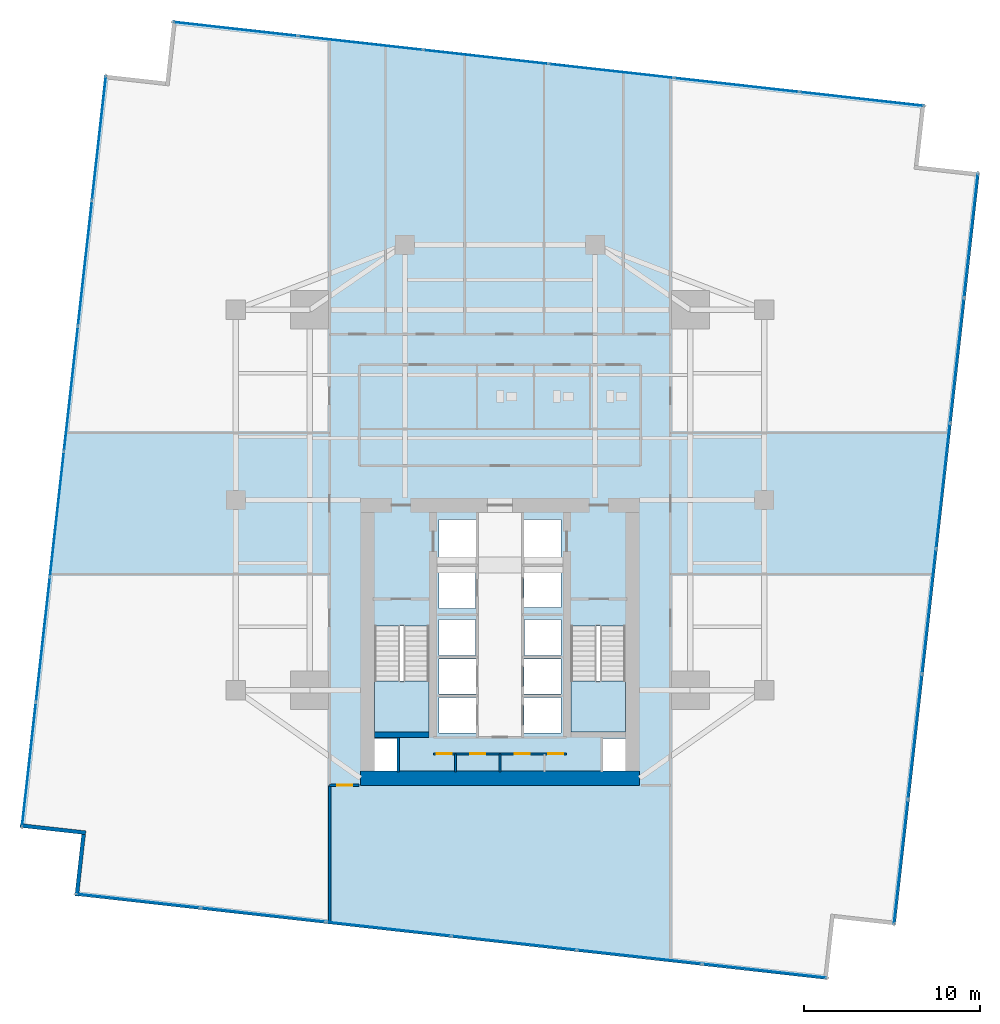
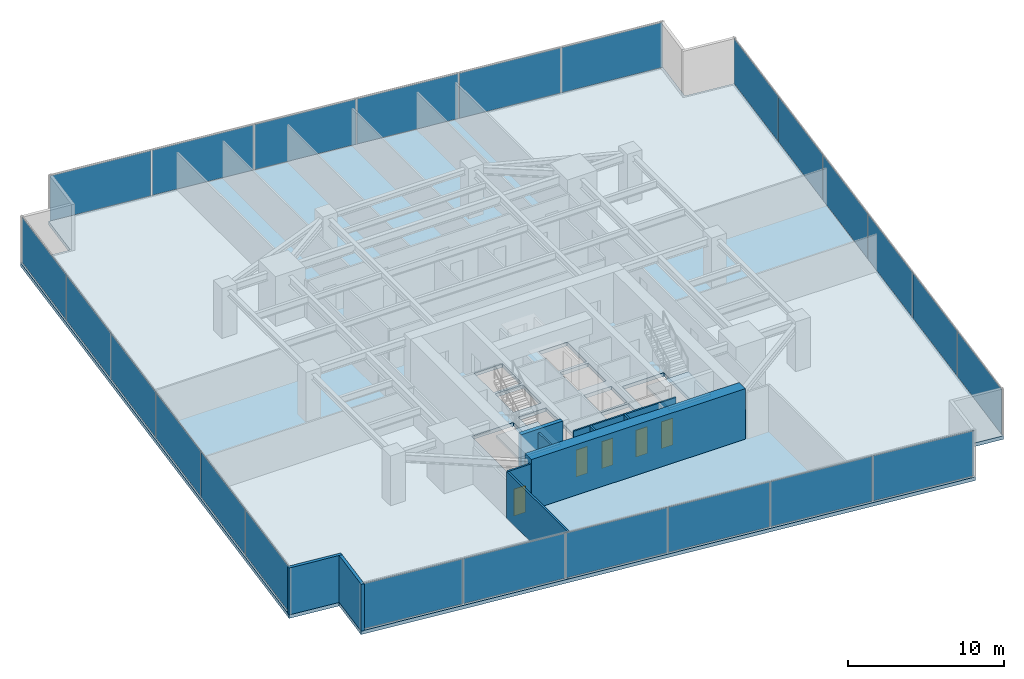
# One storey, part 24 of 31: 24 plates, 10 walls, 5 doors, 3 slabs, 5 openings, 6 elements without a shape of their own.
"""IFC4 building model written with IfcOpenShell, lengths in metres."""

from ifc_helpers import new_model, si_unit, direction, frame, frame_2d, origin, origin_2d, place, context, subcontext, project, spatial, polyline, rectangle, outline, extrude, source, transform, mapped, material, layer, layer_set, type_object, type_shapes, element, fill, aggregate, save


model = new_model("IFC4")

# Units and contexts
model_context = context("Model", 3, precision=1e-05, world=origin(), true_north=direction((0.0, 1.0)))
body_context = subcontext(model_context, "Body", "Model", "MODEL_VIEW")
ifc_project = project(units=[si_unit("LENGTHUNIT", "METRE"), si_unit("AREAUNIT", "SQUARE_METRE"), si_unit("VOLUMEUNIT", "CUBIC_METRE"), si_unit("PLANEANGLEUNIT", "RADIAN"), si_unit("MASSUNIT", "GRAM", prefix="KILO")], contexts=[model_context])

# Site, building, storey
site_placement = place(None, origin())
site = spatial("IfcSite", under=ifc_project, at=site_placement, CompositionType="ELEMENT")
building_placement = place(site_placement, origin())
building = spatial("IfcBuilding", under=site, at=building_placement, Name="Krantzveldt Concourse Tower", CompositionType="ELEMENT")
storey_placement = place(building_placement, frame((0.0, 0.0, 56.60009765625)))
storey = spatial("IfcBuildingStorey", under=building, at=storey_placement, Name="L13", CompositionType="ELEMENT", Elevation=56.60009765625)

# Stair, slab
ifc_material_1 = material(Name="Precast concrete C40/50", Category="concrete")
stair_type = type_object("IfcStairType", Name="STR-CORE-DOGLEG", PredefinedType="HALF_TURN_STAIR", material=ifc_material_1)
stair_1_placement = place(storey_placement, origin())
stair_1 = element("IfcStair", 1, at=stair_1_placement, inside=storey, type_object=stair_type, Name="L13 Protected Escape Stair ST-1", PredefinedType="HALF_TURN_STAIR")
ifc_layer_1 = layer(ifc_material_1, 0.199951171875, Name="Precast concrete C40/50", Category="concrete")
ifc_layer_set_1 = layer_set([ifc_layer_1], Name="Precast concrete C40/50 (SL-LANDING-200)")
slab_type_1 = type_object("IfcSlabType", Name="SL-LANDING-200", PredefinedType="LANDING", material=ifc_layer_set_1)
slab_1_placement = place(storey_placement, frame((0.0, 0.0, 1.77490234375)))
slab_1 = element("IfcSlab", 2, at=slab_1_placement, type_object=slab_type_1, Name="ST-1 landing 1", PredefinedType="LANDING", context=body_context, shape_type="SweptSolid", body=[
    extrude(outline(polyline([(28.8798828125, 16.4150390625), (28.8798828125, 13.52001953125), (31.97998046875, 13.52001953125), (31.97998046875, 16.4150390625), (28.8798828125, 16.4150390625)])), origin(), (0.0, 0.0, 1.0), 0.199951171875),
])
aggregate(stair_1, [slab_1])

stair_2_placement = place(storey_placement, origin())
stair_2 = element("IfcStair", 3, at=stair_2_placement, inside=storey, type_object=stair_type, Name="L13 Protected Escape Stair ST-2", PredefinedType="HALF_TURN_STAIR")
slab_2_placement = place(storey_placement, frame((0.0, 0.0, 1.77490234375)))
slab_2 = element("IfcSlab", 4, at=slab_2_placement, type_object=slab_type_1, Name="ST-2 landing 1", PredefinedType="LANDING", context=body_context, shape_type="SweptSolid", body=[
    extrude(outline(polyline([(40.02001953125, 16.4150390625), (40.02001953125, 13.52001953125), (43.1201171875, 13.52001953125), (43.1201171875, 16.4150390625), (40.02001953125, 16.4150390625)])), origin(), (0.0, 0.0, 1.0), 0.199951171875),
])
aggregate(stair_2, [slab_2])

# Slab
ifc_material_2 = material(Name="Concrete C40/50", Category="concrete")
ifc_layer_2 = layer(ifc_material_2, 0.280029296875, Name="Concrete C40/50", Category="concrete")
ifc_layer_set_2 = layer_set([ifc_layer_2], Name="Concrete C40/50 (SL-SL-TWR280)")
slab_type_2 = type_object("IfcSlabType", Name="SL-SL-TWR280", PredefinedType="FLOOR", material=ifc_layer_set_2)
slab_3_placement = place(storey_placement, frame((0.0, 0.0, -0.280029296875)))
element("IfcSlab", 5, at=slab_3_placement, inside=storey, type_object=slab_type_2, Name="SL-L13-MAIN", PredefinedType="FLOOR", context=body_context, shape_type="SweptSolid", body=[
    extrude(outline(polyline([(17.020263671875, 50.454345703125), (13.541748046875, 50.843017578125), (8.767333984375, 8.10888671875), (12.24560546875, 7.72021484375), (11.857177734375, 4.241943359375), (54.591064453125, -0.53271484375), (54.979736328125, 2.94580078125), (58.458251953125, 2.55712890625), (63.232666015625, 45.291259765625), (59.75439453125, 45.6796875), (60.142822265625, 49.158203125), (17.408935546875, 53.9326171875), (17.020263671875, 50.454345703125)]), holes=[polyline([(28.8798828125, 19.547607421875), (28.8798828125, 13.52001953125), (31.97998046875, 13.52001953125), (31.97998046875, 19.547607421875), (28.8798828125, 19.547607421875)]), polyline([(40.02001953125, 19.547607421875), (40.02001953125, 13.52001953125), (43.1201171875, 13.52001953125), (43.1201171875, 19.547607421875), (40.02001953125, 19.547607421875)]), polyline([(32.550048828125, 23.10009765625), (34.64990234375, 23.10009765625), (34.64990234375, 25.60009765625), (32.550048828125, 25.60009765625), (32.550048828125, 23.10009765625)]), polyline([(37.35009765625, 23.10009765625), (39.449951171875, 23.10009765625), (39.449951171875, 25.60009765625), (37.35009765625, 25.60009765625), (37.35009765625, 23.10009765625)]), polyline([(37.35009765625, 20.60009765625), (39.449951171875, 20.60009765625), (39.449951171875, 22.89990234375), (37.35009765625, 22.89990234375), (37.35009765625, 20.60009765625)]), polyline([(32.550048828125, 13.47998046875), (34.64990234375, 13.47998046875), (34.64990234375, 15.47998046875), (32.550048828125, 15.47998046875), (32.550048828125, 13.47998046875)]), polyline([(32.550048828125, 15.679931640625), (34.64990234375, 15.679931640625), (34.64990234375, 17.679931640625), (32.550048828125, 17.679931640625), (32.550048828125, 15.679931640625)]), polyline([(37.35009765625, 13.47998046875), (39.449951171875, 13.47998046875), (39.449951171875, 15.47998046875), (37.35009765625, 15.47998046875), (37.35009765625, 13.47998046875)]), polyline([(37.35009765625, 15.679931640625), (39.449951171875, 15.679931640625), (39.449951171875, 17.679931640625), (37.35009765625, 17.679931640625), (37.35009765625, 15.679931640625)]), polyline([(32.550048828125, 20.550048828125), (34.6201171875, 20.550048828125), (34.6201171875, 22.89990234375), (32.550048828125, 22.89990234375), (32.550048828125, 20.550048828125)]), polyline([(32.550048828125, 17.8798828125), (34.6201171875, 17.8798828125), (34.6201171875, 19.919921875), (32.550048828125, 19.919921875), (32.550048828125, 17.8798828125)]), polyline([(37.3798828125, 17.8798828125), (39.449951171875, 17.8798828125), (39.449951171875, 19.919921875), (37.3798828125, 19.919921875), (37.3798828125, 17.8798828125)]), polyline([(28.8798828125, 11.320068359375), (30.139892578125, 11.320068359375), (30.139892578125, 13.159912109375), (28.8798828125, 13.159912109375), (28.8798828125, 11.320068359375)]), polyline([(41.860107421875, 11.320068359375), (43.1201171875, 11.320068359375), (43.1201171875, 13.159912109375), (41.860107421875, 13.159912109375), (41.860107421875, 11.320068359375)])]), origin(), (0.0, 0.0, 1.0), 0.280029296875),
])

# Curtain wall, plates
ifc_material_3 = material(Name="Anodised aluminium 6063-T6", Category="aluminium")
curtain_wall_type = type_object("IfcCurtainWallType", Name="CW2", PredefinedType="USERDEFINED", material=ifc_material_3)
curtain_wall_1_placement = place(storey_placement, origin())
curtain_wall_1 = element("IfcCurtainWall", 6, at=curtain_wall_1_placement, inside=storey, type_object=curtain_wall_type, Name="CW-L13-F01", ObjectType="UNITISED CURTAIN WALL", PredefinedType="USERDEFINED")
ifc_material_4 = material(Name="Bronze-tinted laminated low-E IGU glass", Category="glass")
ifc_layer_3 = layer(ifc_material_4, 0.031982421875, Name="Bronze-tinted laminated low-E IGU glass", Category="glass")
ifc_layer_set_3 = layer_set([ifc_layer_3], Name="Bronze-tinted laminated low-E IGU glass (CW-GLZ-32)")
plate_type = type_object("IfcPlateType", Name="CW-GLZ-32", PredefinedType="CURTAIN_PANEL", material=ifc_layer_set_3)
shared_shape_1 = source(origin(), body_context, "Body", "SweptSolid", [
    extrude(rectangle(XDim=7.061767578125, YDim=0.031982421875, at=origin_2d()), origin(), (0.0, 0.0, 1.0), 3.530029296875),
])
plate_1_placement = place(storey_placement, frame((13.2314453125, 47.25439453125, 0.06982421875), z_axis=(0.0, 0.0, 1.0), x_axis=(-0.111035342863, -0.993816458223, 0.0)))
plate_1 = element("IfcPlate", 7, at=plate_1_placement, type_object=plate_type, Name="CW-Z12 panel 1.1", PredefinedType="CURTAIN_PANEL", context=body_context, shape_type="MappedRepresentation", body=[
    mapped(shared_shape_1, transform((0.0, 0.0, 0.0), x_axis=(1.0, 0.0, 0.0), y_axis=(0.0, 1.0, 0.0), z_axis=(0.0, 0.0, 1.0), scale=1.0)),
])
plate_2_placement = place(storey_placement, frame((9.256591796875, 11.677490234375, 0.06982421875), z_axis=(0.0, 0.0, 1.0), x_axis=(-0.111035342863, -0.993816458223, 0.0)))
plate_2 = element("IfcPlate", 8, at=plate_2_placement, type_object=plate_type, Name="CW-Z12 panel 6.1", PredefinedType="CURTAIN_PANEL", context=body_context, shape_type="MappedRepresentation", body=[
    mapped(shared_shape_1, transform((0.0, 0.0, 0.0), x_axis=(1.0, 0.0, 0.0), y_axis=(0.0, 1.0, 0.0), z_axis=(0.0, 0.0, 1.0), scale=1.0)),
])

curtain_wall_2_placement = place(storey_placement, origin())
curtain_wall_2 = element("IfcCurtainWall", 9, at=curtain_wall_2_placement, inside=storey, type_object=curtain_wall_type, Name="CW-L13-F04", ObjectType="UNITISED CURTAIN WALL", PredefinedType="USERDEFINED")
plate_3_placement = place(storey_placement, frame((15.445556640625, 3.931396484375, 0.06982421875), z_axis=(0.0, 0.0, 1.0), x_axis=(0.993816458223, -0.111035342863, 0.0)))
plate_3 = element("IfcPlate", 10, at=plate_3_placement, type_object=plate_type, Name="CW-Z12 panel 1.1", PredefinedType="CURTAIN_PANEL", context=body_context, shape_type="MappedRepresentation", body=[
    mapped(shared_shape_1, transform((0.0, 0.0, 0.0), x_axis=(1.0, 0.0, 0.0), y_axis=(0.0, 1.0, 0.0), z_axis=(0.0, 0.0, 1.0), scale=1.0)),
])
plate_4_placement = place(storey_placement, frame((51.022705078125, -0.04345703125, 0.06982421875), z_axis=(0.0, 0.0, 1.0), x_axis=(0.993816458223, -0.111035342863, 0.0)))
plate_4 = element("IfcPlate", 11, at=plate_4_placement, type_object=plate_type, Name="CW-Z12 panel 6.1", PredefinedType="CURTAIN_PANEL", context=body_context, shape_type="MappedRepresentation", body=[
    mapped(shared_shape_1, transform((0.0, 0.0, 0.0), x_axis=(1.0, 0.0, 0.0), y_axis=(0.0, 1.0, 0.0), z_axis=(0.0, 0.0, 1.0), scale=1.0)),
])

curtain_wall_3_placement = place(storey_placement, origin())
curtain_wall_3 = element("IfcCurtainWall", 12, at=curtain_wall_3_placement, inside=storey, type_object=curtain_wall_type, Name="CW-L13-F07", ObjectType="UNITISED CURTAIN WALL", PredefinedType="USERDEFINED")
plate_5_placement = place(storey_placement, frame((58.7685546875, 6.1455078125, 0.06982421875), z_axis=(0.0, 0.0, 1.0), x_axis=(0.111035342863, 0.993816458223, 0.0)))
plate_5 = element("IfcPlate", 13, at=plate_5_placement, type_object=plate_type, Name="CW-Z12 panel 1.1", PredefinedType="CURTAIN_PANEL", context=body_context, shape_type="MappedRepresentation", body=[
    mapped(shared_shape_1, transform((0.0, 0.0, 0.0), x_axis=(1.0, 0.0, 0.0), y_axis=(0.0, 1.0, 0.0), z_axis=(0.0, 0.0, 1.0), scale=1.0)),
])
plate_6_placement = place(storey_placement, frame((62.743408203125, 41.72265625, 0.06982421875), z_axis=(0.0, 0.0, 1.0), x_axis=(0.111035342863, 0.993816458223, 0.0)))
plate_6 = element("IfcPlate", 14, at=plate_6_placement, type_object=plate_type, Name="CW-Z12 panel 6.1", PredefinedType="CURTAIN_PANEL", context=body_context, shape_type="MappedRepresentation", body=[
    mapped(shared_shape_1, transform((0.0, 0.0, 0.0), x_axis=(1.0, 0.0, 0.0), y_axis=(0.0, 1.0, 0.0), z_axis=(0.0, 0.0, 1.0), scale=1.0)),
])

curtain_wall_4_placement = place(storey_placement, origin())
curtain_wall_4 = element("IfcCurtainWall", 15, at=curtain_wall_4_placement, inside=storey, type_object=curtain_wall_type, Name="CW-L13-F10", ObjectType="UNITISED CURTAIN WALL", PredefinedType="USERDEFINED")
plate_7_placement = place(storey_placement, frame((56.554443359375, 49.468505859375, 0.06982421875), z_axis=(0.0, 0.0, 1.0), x_axis=(-0.993816458223, 0.111035342863, 0.0)))
plate_7 = element("IfcPlate", 16, at=plate_7_placement, type_object=plate_type, Name="CW-Z12 panel 1.1", PredefinedType="CURTAIN_PANEL", context=body_context, shape_type="MappedRepresentation", body=[
    mapped(shared_shape_1, transform((0.0, 0.0, 0.0), x_axis=(1.0, 0.0, 0.0), y_axis=(0.0, 1.0, 0.0), z_axis=(0.0, 0.0, 1.0), scale=1.0)),
])
plate_8_placement = place(storey_placement, frame((20.977294921875, 53.443359375, 0.06982421875), z_axis=(0.0, 0.0, 1.0), x_axis=(-0.993816458223, 0.111035342863, 0.0)))
plate_8 = element("IfcPlate", 17, at=plate_8_placement, type_object=plate_type, Name="CW-Z12 panel 6.1", PredefinedType="CURTAIN_PANEL", context=body_context, shape_type="MappedRepresentation", body=[
    mapped(shared_shape_1, transform((0.0, 0.0, 0.0), x_axis=(1.0, 0.0, 0.0), y_axis=(0.0, 1.0, 0.0), z_axis=(0.0, 0.0, 1.0), scale=1.0)),
])

# Plate
shared_shape_2 = source(origin(), body_context, "Body", "SweptSolid", [
    extrude(rectangle(XDim=7.0966796875, YDim=0.031982421875, at=origin_2d()), origin(), (0.0, 0.0, 1.0), 3.530029296875),
])
type_shapes(plate_type, [shared_shape_1, shared_shape_2])
plate_9_placement = place(storey_placement, frame((12.437744140625, 40.1494140625, 0.06982421875), z_axis=(0.0, 0.0, 1.0), x_axis=(-0.111035342863, -0.993816458223, 0.0)))
plate_9 = element("IfcPlate", 18, at=plate_9_placement, type_object=plate_type, Name="CW-Z12 panel 2.1", PredefinedType="CURTAIN_PANEL", context=body_context, shape_type="MappedRepresentation", body=[
    mapped(shared_shape_2, transform((0.0, 0.0, 0.0), x_axis=(1.0, 0.0, 0.0), y_axis=(0.0, 1.0, 0.0), z_axis=(0.0, 0.0, 1.0), scale=1.0)),
])

plate_10_placement = place(storey_placement, frame((11.641845703125, 33.027099609375, 0.06982421875), z_axis=(0.0, 0.0, 1.0), x_axis=(-0.111035342863, -0.993816458223, 0.0)))
plate_10 = element("IfcPlate", 19, at=plate_10_placement, type_object=plate_type, Name="CW-Z12 panel 3.1", PredefinedType="CURTAIN_PANEL", context=body_context, shape_type="MappedRepresentation", body=[
    mapped(shared_shape_2, transform((0.0, 0.0, 0.0), x_axis=(1.0, 0.0, 0.0), y_axis=(0.0, 1.0, 0.0), z_axis=(0.0, 0.0, 1.0), scale=1.0)),
])

plate_11_placement = place(storey_placement, frame((10.84619140625, 25.90478515625, 0.06982421875), z_axis=(0.0, 0.0, 1.0), x_axis=(-0.111035342863, -0.993816458223, 0.0)))
plate_11 = element("IfcPlate", 20, at=plate_11_placement, type_object=plate_type, Name="CW-Z12 panel 4.1", PredefinedType="CURTAIN_PANEL", context=body_context, shape_type="MappedRepresentation", body=[
    mapped(shared_shape_2, transform((0.0, 0.0, 0.0), x_axis=(1.0, 0.0, 0.0), y_axis=(0.0, 1.0, 0.0), z_axis=(0.0, 0.0, 1.0), scale=1.0)),
])

plate_12_placement = place(storey_placement, frame((10.05029296875, 18.782470703125, 0.06982421875), z_axis=(0.0, 0.0, 1.0), x_axis=(-0.111035342863, -0.993816458223, 0.0)))
plate_12 = element("IfcPlate", 21, at=plate_12_placement, type_object=plate_type, Name="CW-Z12 panel 5.1", PredefinedType="CURTAIN_PANEL", context=body_context, shape_type="MappedRepresentation", body=[
    mapped(shared_shape_2, transform((0.0, 0.0, 0.0), x_axis=(1.0, 0.0, 0.0), y_axis=(0.0, 1.0, 0.0), z_axis=(0.0, 0.0, 1.0), scale=1.0)),
])

aggregate(curtain_wall_1, [plate_1, plate_9, plate_10, plate_11, plate_12, plate_2])

plate_13_placement = place(storey_placement, frame((22.550537109375, 3.1376953125, 0.06982421875), z_axis=(0.0, 0.0, 1.0), x_axis=(0.993816458223, -0.111035342863, 0.0)))
plate_13 = element("IfcPlate", 22, at=plate_13_placement, type_object=plate_type, Name="CW-Z12 panel 2.1", PredefinedType="CURTAIN_PANEL", context=body_context, shape_type="MappedRepresentation", body=[
    mapped(shared_shape_2, transform((0.0, 0.0, 0.0), x_axis=(1.0, 0.0, 0.0), y_axis=(0.0, 1.0, 0.0), z_axis=(0.0, 0.0, 1.0), scale=1.0)),
])

plate_14_placement = place(storey_placement, frame((29.6728515625, 2.341796875, 0.06982421875), z_axis=(0.0, 0.0, 1.0), x_axis=(0.993816458223, -0.111035342863, 0.0)))
plate_14 = element("IfcPlate", 23, at=plate_14_placement, type_object=plate_type, Name="CW-Z12 panel 3.1", PredefinedType="CURTAIN_PANEL", context=body_context, shape_type="MappedRepresentation", body=[
    mapped(shared_shape_2, transform((0.0, 0.0, 0.0), x_axis=(1.0, 0.0, 0.0), y_axis=(0.0, 1.0, 0.0), z_axis=(0.0, 0.0, 1.0), scale=1.0)),
])

plate_15_placement = place(storey_placement, frame((36.795166015625, 1.546142578125, 0.06982421875), z_axis=(0.0, 0.0, 1.0), x_axis=(0.993816458223, -0.111035342863, 0.0)))
plate_15 = element("IfcPlate", 24, at=plate_15_placement, type_object=plate_type, Name="CW-Z12 panel 4.1", PredefinedType="CURTAIN_PANEL", context=body_context, shape_type="MappedRepresentation", body=[
    mapped(shared_shape_2, transform((0.0, 0.0, 0.0), x_axis=(1.0, 0.0, 0.0), y_axis=(0.0, 1.0, 0.0), z_axis=(0.0, 0.0, 1.0), scale=1.0)),
])

plate_16_placement = place(storey_placement, frame((43.917724609375, 0.75048828125, 0.06982421875), z_axis=(0.0, 0.0, 1.0), x_axis=(0.993816458223, -0.111035342863, 0.0)))
plate_16 = element("IfcPlate", 25, at=plate_16_placement, type_object=plate_type, Name="CW-Z12 panel 5.1", PredefinedType="CURTAIN_PANEL", context=body_context, shape_type="MappedRepresentation", body=[
    mapped(shared_shape_2, transform((0.0, 0.0, 0.0), x_axis=(1.0, 0.0, 0.0), y_axis=(0.0, 1.0, 0.0), z_axis=(0.0, 0.0, 1.0), scale=1.0)),
])

aggregate(curtain_wall_2, [plate_3, plate_13, plate_14, plate_15, plate_16, plate_4])

plate_17_placement = place(storey_placement, frame((59.562255859375, 13.25048828125, 0.06982421875), z_axis=(0.0, 0.0, 1.0), x_axis=(0.111035342863, 0.993816458223, 0.0)))
plate_17 = element("IfcPlate", 26, at=plate_17_placement, type_object=plate_type, Name="CW-Z12 panel 2.1", PredefinedType="CURTAIN_PANEL", context=body_context, shape_type="MappedRepresentation", body=[
    mapped(shared_shape_2, transform((0.0, 0.0, 0.0), x_axis=(1.0, 0.0, 0.0), y_axis=(0.0, 1.0, 0.0), z_axis=(0.0, 0.0, 1.0), scale=1.0)),
])

plate_18_placement = place(storey_placement, frame((60.358154296875, 20.373046875, 0.06982421875), z_axis=(0.0, 0.0, 1.0), x_axis=(0.111035342863, 0.993816458223, 0.0)))
plate_18 = element("IfcPlate", 27, at=plate_18_placement, type_object=plate_type, Name="CW-Z12 panel 3.1", PredefinedType="CURTAIN_PANEL", context=body_context, shape_type="MappedRepresentation", body=[
    mapped(shared_shape_2, transform((0.0, 0.0, 0.0), x_axis=(1.0, 0.0, 0.0), y_axis=(0.0, 1.0, 0.0), z_axis=(0.0, 0.0, 1.0), scale=1.0)),
])

plate_19_placement = place(storey_placement, frame((61.15380859375, 27.495361328125, 0.06982421875), z_axis=(0.0, 0.0, 1.0), x_axis=(0.111035342863, 0.993816458223, 0.0)))
plate_19 = element("IfcPlate", 28, at=plate_19_placement, type_object=plate_type, Name="CW-Z12 panel 4.1", PredefinedType="CURTAIN_PANEL", context=body_context, shape_type="MappedRepresentation", body=[
    mapped(shared_shape_2, transform((0.0, 0.0, 0.0), x_axis=(1.0, 0.0, 0.0), y_axis=(0.0, 1.0, 0.0), z_axis=(0.0, 0.0, 1.0), scale=1.0)),
])

plate_20_placement = place(storey_placement, frame((61.94970703125, 34.61767578125, 0.06982421875), z_axis=(0.0, 0.0, 1.0), x_axis=(0.111035342863, 0.993816458223, 0.0)))
plate_20 = element("IfcPlate", 29, at=plate_20_placement, type_object=plate_type, Name="CW-Z12 panel 5.1", PredefinedType="CURTAIN_PANEL", context=body_context, shape_type="MappedRepresentation", body=[
    mapped(shared_shape_2, transform((0.0, 0.0, 0.0), x_axis=(1.0, 0.0, 0.0), y_axis=(0.0, 1.0, 0.0), z_axis=(0.0, 0.0, 1.0), scale=1.0)),
])

aggregate(curtain_wall_3, [plate_5, plate_17, plate_18, plate_19, plate_20, plate_6])

plate_21_placement = place(storey_placement, frame((49.449462890625, 50.262451171875, 0.06982421875), z_axis=(0.0, 0.0, 1.0), x_axis=(-0.993816458223, 0.111035342863, 0.0)))
plate_21 = element("IfcPlate", 30, at=plate_21_placement, type_object=plate_type, Name="CW-Z12 panel 2.1", PredefinedType="CURTAIN_PANEL", context=body_context, shape_type="MappedRepresentation", body=[
    mapped(shared_shape_2, transform((0.0, 0.0, 0.0), x_axis=(1.0, 0.0, 0.0), y_axis=(0.0, 1.0, 0.0), z_axis=(0.0, 0.0, 1.0), scale=1.0)),
])

plate_22_placement = place(storey_placement, frame((42.3271484375, 51.05810546875, 0.06982421875), z_axis=(0.0, 0.0, 1.0), x_axis=(-0.993816458223, 0.111035342863, 0.0)))
plate_22 = element("IfcPlate", 31, at=plate_22_placement, type_object=plate_type, Name="CW-Z12 panel 3.1", PredefinedType="CURTAIN_PANEL", context=body_context, shape_type="MappedRepresentation", body=[
    mapped(shared_shape_2, transform((0.0, 0.0, 0.0), x_axis=(1.0, 0.0, 0.0), y_axis=(0.0, 1.0, 0.0), z_axis=(0.0, 0.0, 1.0), scale=1.0)),
])

plate_23_placement = place(storey_placement, frame((35.204833984375, 51.853759765625, 0.06982421875), z_axis=(0.0, 0.0, 1.0), x_axis=(-0.993816458223, 0.111035342863, 0.0)))
plate_23 = element("IfcPlate", 32, at=plate_23_placement, type_object=plate_type, Name="CW-Z12 panel 4.1", PredefinedType="CURTAIN_PANEL", context=body_context, shape_type="MappedRepresentation", body=[
    mapped(shared_shape_2, transform((0.0, 0.0, 0.0), x_axis=(1.0, 0.0, 0.0), y_axis=(0.0, 1.0, 0.0), z_axis=(0.0, 0.0, 1.0), scale=1.0)),
])

plate_24_placement = place(storey_placement, frame((28.082275390625, 52.649658203125, 0.06982421875), z_axis=(0.0, 0.0, 1.0), x_axis=(-0.993816458223, 0.111035342863, 0.0)))
plate_24 = element("IfcPlate", 33, at=plate_24_placement, type_object=plate_type, Name="CW-Z12 panel 5.1", PredefinedType="CURTAIN_PANEL", context=body_context, shape_type="MappedRepresentation", body=[
    mapped(shared_shape_2, transform((0.0, 0.0, 0.0), x_axis=(1.0, 0.0, 0.0), y_axis=(0.0, 1.0, 0.0), z_axis=(0.0, 0.0, 1.0), scale=1.0)),
])

aggregate(curtain_wall_4, [plate_7, plate_21, plate_22, plate_23, plate_24, plate_8])

# Walls
ifc_layer_4 = layer(ifc_material_3, 0.219970703125, Name="Anodised aluminium 6063-T6", Category="aluminium")
ifc_layer_set_4 = layer_set([ifc_layer_4], Name="Anodised aluminium 6063-T6 (WL-EXT-NOTCH220)")
wall_type_1 = type_object("IfcWallType", Name="WL-EXT-NOTCH220", PredefinedType="ELEMENTEDWALL", material=ifc_layer_set_4)
wall_1_placement = place(storey_placement, frame((8.754638671875, 8.220947265625, 0.0), z_axis=(0.0, 0.0, 1.0), x_axis=(0.99381837171, -0.111018214957, 0.0)))
element("IfcWall", 34, at=wall_1_placement, inside=storey, type_object=wall_type_1, Name="EW-L13-NCH02", PredefinedType="ELEMENTEDWALL", context=body_context, shape_type="SweptSolid", body=[
    extrude(rectangle(XDim=3.7451171875, YDim=0.219970703125, at=frame_2d((1.87255859375, 0.0))), origin(), (0.0, 0.0, 1.0), 3.669921875),
])
wall_2_placement = place(storey_placement, frame((12.35498046875, 7.7080078125, 0.0), z_axis=(0.0, 0.0, 1.0), x_axis=(-0.111024443135, -0.993817675948, 0.0)))
element("IfcWall", 35, at=wall_2_placement, inside=storey, type_object=wall_type_1, Name="EW-L13-NCH03", PredefinedType="ELEMENTEDWALL", context=body_context, shape_type="SweptSolid", body=[
    extrude(rectangle(XDim=3.52490234375, YDim=0.219970703125, at=frame_2d((1.762451171875, 0.0))), origin(), (0.0, 0.0, 1.0), 3.669921875),
])

# Wall, openings, doors
ifc_material_5 = material(Name="Fire-rated gypsum plasterboard on steel stud", Category="steel")
ifc_layer_5 = layer(ifc_material_5, 0.1201171875, Name="Fire-rated gypsum plasterboard on steel stud", Category="steel")
ifc_layer_set_5 = layer_set([ifc_layer_5], Name="Fire-rated gypsum plasterboard on steel stud (WL-PART-120)")
wall_type_2 = type_object("IfcWallType", Name="WL-PART-120", PredefinedType="PARTITIONING", material=ifc_layer_set_5)
wall_3_placement = place(storey_placement, frame((32.2099609375, 12.280029296875, 0.0), z_axis=(0.0, 0.0, 1.0), x_axis=(1.0, 0.0, 0.0)))
wall_3 = element("IfcWall", 36, at=wall_3_placement, inside=storey, type_object=wall_type_2, Name="WP-L13-CSD-HM", PredefinedType="PARTITIONING", context=body_context, shape_type="SweptSolid", body=[
    extrude(rectangle(XDim=7.580078125, YDim=0.1201171875, at=frame_2d((3.7900390625, 0.0))), origin(), (0.0, 0.0, 1.0), 3.669921875),
])
opening_1_placement = place(wall_3_placement, frame((0.205078125, 0.0, 0.0)))
opening_1 = element("IfcOpeningElement", 37, at=opening_1_placement, cuts=wall_3, Name="Opening D-IN085", PredefinedType="OPENING", context=body_context, shape_type="SweptSolid", body=[
    extrude(rectangle(XDim=0.85009765625, YDim=2.10009765625, at=frame_2d((0.425048828125, 1.050048828125))), frame((0.0, 0.070068359375, 0.0), z_axis=(0.0, -1.0, 0.0), x_axis=(1.0, 0.0, 0.0)), (0.0, 0.0, 1.0), 0.14013671875),
])
opening_2_placement = place(wall_3_placement, frame((2.094970703125, 0.0, 0.0)))
opening_2 = element("IfcOpeningElement", 38, at=opening_2_placement, cuts=wall_3, Name="Opening D-IN085", PredefinedType="OPENING", context=body_context, shape_type="SweptSolid", body=[
    extrude(rectangle(XDim=0.85009765625, YDim=2.10009765625, at=frame_2d((0.425048828125, 1.050048828125))), frame((0.0, 0.070068359375, 0.0), z_axis=(0.0, -1.0, 0.0), x_axis=(1.0, 0.0, 0.0)), (0.0, 0.0, 1.0), 0.14013671875),
])
opening_3_placement = place(wall_3_placement, frame((4.635009765625, 0.0, 0.0)))
opening_3 = element("IfcOpeningElement", 39, at=opening_3_placement, cuts=wall_3, Name="Opening D-IN085", PredefinedType="OPENING", context=body_context, shape_type="SweptSolid", body=[
    extrude(rectangle(XDim=0.85009765625, YDim=2.10009765625, at=frame_2d((0.425048828125, 1.050048828125))), frame((0.0, 0.070068359375, 0.0), z_axis=(0.0, -1.0, 0.0), x_axis=(1.0, 0.0, 0.0)), (0.0, 0.0, 1.0), 0.14013671875),
])
opening_4_placement = place(wall_3_placement, frame((6.52490234375, 0.0, 0.0)))
opening_4 = element("IfcOpeningElement", 40, at=opening_4_placement, cuts=wall_3, Name="Opening D-IN085", PredefinedType="OPENING", context=body_context, shape_type="SweptSolid", body=[
    extrude(rectangle(XDim=0.85009765625, YDim=2.10009765625, at=frame_2d((0.425048828125, 1.050048828125))), frame((0.0, 0.070068359375, 0.0), z_axis=(0.0, -1.0, 0.0), x_axis=(1.0, 0.0, 0.0)), (0.0, 0.0, 1.0), 0.14013671875),
])
ifc_material_6 = material(Name="Hardwood timber", Category="wood")
door_type = type_object("IfcDoorType", Name="DR-INT-850", OperationType="SINGLE_SWING_LEFT", PredefinedType="DOOR", material=ifc_material_6)
door_1_placement = place(opening_1_placement, origin())
door_1 = element("IfcDoor", 41, at=door_1_placement, inside=storey, type_object=door_type, Name="DR-L13-CSD1", OperationType="SINGLE_SWING_RIGHT", OverallHeight=2.10009765625, OverallWidth=0.85009765625, PredefinedType="DOOR", context=body_context, shape_type="SweptSolid", body=[
    extrude(rectangle(XDim=0.85009765625, YDim=2.10009765625, at=frame_2d((0.425048828125, 1.050048828125))), frame((0.0, 0.02490234375, 0.0), z_axis=(0.0, -1.0, 0.0), x_axis=(1.0, 0.0, 0.0)), (0.0, 0.0, 1.0), 0.050048828125),
])
fill(opening_1, door_1)
door_2_placement = place(opening_2_placement, origin())
door_2 = element("IfcDoor", 42, at=door_2_placement, inside=storey, type_object=door_type, Name="DR-L13-CSD2", OperationType="SINGLE_SWING_RIGHT", OverallHeight=2.10009765625, OverallWidth=0.85009765625, PredefinedType="DOOR", context=body_context, shape_type="SweptSolid", body=[
    extrude(rectangle(XDim=0.85009765625, YDim=2.10009765625, at=frame_2d((0.425048828125, 1.050048828125))), frame((0.0, 0.02490234375, 0.0), z_axis=(0.0, -1.0, 0.0), x_axis=(1.0, 0.0, 0.0)), (0.0, 0.0, 1.0), 0.050048828125),
])
fill(opening_2, door_2)
door_3_placement = place(opening_3_placement, origin())
door_3 = element("IfcDoor", 43, at=door_3_placement, inside=storey, type_object=door_type, Name="DR-L13-CSD3", OperationType="SINGLE_SWING_RIGHT", OverallHeight=2.10009765625, OverallWidth=0.85009765625, PredefinedType="DOOR", context=body_context, shape_type="SweptSolid", body=[
    extrude(rectangle(XDim=0.85009765625, YDim=2.10009765625, at=frame_2d((0.425048828125, 1.050048828125))), frame((0.0, 0.02490234375, 0.0), z_axis=(0.0, -1.0, 0.0), x_axis=(1.0, 0.0, 0.0)), (0.0, 0.0, 1.0), 0.050048828125),
])
fill(opening_3, door_3)
door_4_placement = place(opening_4_placement, origin())
door_4 = element("IfcDoor", 44, at=door_4_placement, inside=storey, type_object=door_type, Name="DR-L13-CSD4", OperationType="SINGLE_SWING_RIGHT", OverallHeight=2.10009765625, OverallWidth=0.85009765625, PredefinedType="DOOR", context=body_context, shape_type="SweptSolid", body=[
    extrude(rectangle(XDim=0.85009765625, YDim=2.10009765625, at=frame_2d((0.425048828125, 1.050048828125))), frame((0.0, 0.02490234375, 0.0), z_axis=(0.0, -1.0, 0.0), x_axis=(1.0, 0.0, 0.0)), (0.0, 0.0, 1.0), 0.050048828125),
])
fill(opening_4, door_4)

# Walls
for number, where, z_axis, x_axis, name in (
    (45, (33.469970703125, 11.25, 0.0), (0.0, 0.0, 1.0), (0.0, 1.0, 0.0), "WP-L13-CSD-V1"),
    (46, (36.0, 11.25, 0.0), (0.0, 0.0, 1.0), (0.0, 1.0, 0.0), "WP-L13-CSD-V2"),
):
    element("IfcWall", number, at=place(storey_placement, frame(where, z_axis=z_axis, x_axis=x_axis)), inside=storey, type_object=wall_type_2, Name=name, PredefinedType="PARTITIONING", context=body_context, shape_type="SweptSolid", body=[
        extrude(rectangle(XDim=1.030029296875, YDim=0.1201171875, at=frame_2d((0.51513671875, 0.0))), origin(), (0.0, 0.0, 1.0), 3.669921875),
    ])

# Wall, opening, door
ifc_layer_6 = layer(ifc_material_5, 0.139892578125, Name="Fire-rated gypsum plasterboard on steel stud", Category="steel")
ifc_layer_set_6 = layer_set([ifc_layer_6], Name="Fire-rated gypsum plasterboard on steel stud (WL-PART-140)")
wall_type_3 = type_object("IfcWallType", Name="WL-PART-140", PredefinedType="PARTITIONING", material=ifc_layer_set_6)
wall_4_placement = place(storey_placement, frame((26.320068359375, 10.5, 0.0), z_axis=(0.0, 0.0, 1.0), x_axis=(1.0, 0.0, 0.0)))
wall_4 = element("IfcWall", 47, at=wall_4_placement, inside=storey, type_object=wall_type_3, Name="WP-L13-CWBOT", PredefinedType="PARTITIONING", context=body_context, shape_type="SweptSolid", body=[
    extrude(rectangle(XDim=1.679931640625, YDim=0.139892578125, at=frame_2d((0.83984375, 0.0))), origin(), (0.0, 0.0, 1.0), 3.669921875),
])
opening_5_placement = place(wall_4_placement, frame((0.445068359375, 0.0, 0.0)))
opening_5 = element("IfcOpeningElement", 48, at=opening_5_placement, cuts=wall_4, Name="Opening D-IN085", PredefinedType="OPENING", context=body_context, shape_type="SweptSolid", body=[
    extrude(rectangle(XDim=0.85009765625, YDim=2.10009765625, at=frame_2d((0.425048828125, 1.050048828125))), frame((0.0, 0.080078125, 0.0), z_axis=(0.0, -1.0, 0.0), x_axis=(1.0, 0.0, 0.0)), (0.0, 0.0, 1.0), 0.159912109375),
])
door_5_placement = place(opening_5_placement, origin())
door_5 = element("IfcDoor", 49, at=door_5_placement, inside=storey, type_object=door_type, Name="DR-L13-SR1", OperationType="SINGLE_SWING_LEFT", OverallHeight=2.10009765625, OverallWidth=0.85009765625, PredefinedType="DOOR", context=body_context, shape_type="SweptSolid", body=[
    extrude(rectangle(XDim=0.85009765625, YDim=2.10009765625, at=frame_2d((0.425048828125, 1.050048828125))), frame((0.0, 0.02490234375, 0.0), z_axis=(0.0, -1.0, 0.0), x_axis=(1.0, 0.0, 0.0)), (0.0, 0.0, 1.0), 0.050048828125),
])
fill(opening_5, door_5)

# Walls
wall_5_placement = place(storey_placement, frame((26.320068359375, 2.716552734375, 0.0), z_axis=(0.0, 0.0, 1.0), x_axis=(0.0, 1.0, 0.0)))
element("IfcWall", 50, at=wall_5_placement, inside=storey, type_object=wall_type_3, Name="WP-L13-SWL", PredefinedType="PARTITIONING", context=body_context, shape_type="SweptSolid", body=[
    extrude(rectangle(XDim=7.783447265625, YDim=0.139892578125, at=frame_2d((3.8916015625, 0.0))), origin(), (0.0, 0.0, 1.0), 3.669921875),
])
ifc_layer_7 = layer(ifc_material_5, 0.139892578125, Name="Fire-rated gypsum plasterboard on steel stud", Category="steel")
ifc_layer_set_7 = layer_set([ifc_layer_7], Name="Fire-rated gypsum plasterboard on steel stud (WL-PART-FR140)")
wall_type_4 = type_object("IfcWallType", Name="WL-PART-FR140", PredefinedType="PARTITIONING", material=ifc_layer_set_7)
wall_6_placement = place(storey_placement, frame((30.219970703125, 11.25, 0.0), z_axis=(0.0, 0.0, 1.0), x_axis=(0.0, 1.0, 0.0)))
element("IfcWall", 51, at=wall_6_placement, inside=storey, type_object=wall_type_4, Name="WP-L13-RSW", PredefinedType="PARTITIONING", context=body_context, shape_type="SweptSolid", body=[
    extrude(rectangle(XDim=1.969970703125, YDim=0.1201171875, at=frame_2d((0.98486328125, 0.0))), origin(), (0.0, 0.0, 1.0), 3.669921875),
])
ifc_material_7 = material(Name="Concrete C50/60", Category="concrete")
ifc_layer_8 = layer(ifc_material_7, 0.300048828125, Name="Concrete C50/60", Category="concrete")
ifc_layer_set_8 = layer_set([ifc_layer_8], Name="Concrete C50/60 (WL-SHEAR-300)")
wall_type_5 = type_object("IfcWallType", Name="WL-SHEAR-300", PredefinedType="SHEAR", material=ifc_layer_set_8)
wall_7_placement = place(storey_placement, frame((28.8798828125, 13.3701171875, 0.0), z_axis=(0.0, 0.0, 1.0), x_axis=(1.0, 0.0, 0.0)))
element("IfcWall", 52, at=wall_7_placement, inside=storey, type_object=wall_type_5, Name="CW-L13-ST1S", PredefinedType="SHEAR", context=body_context, shape_type="SweptSolid", body=[
    extrude(rectangle(XDim=3.10009765625, YDim=0.300048828125, at=frame_2d((1.550048828125, 0.0))), origin(), (0.0, 0.0, 1.0), 3.949951171875),
])
ifc_material_8 = material(Name="Concrete C60/75", Category="concrete")
ifc_layer_9 = layer(ifc_material_8, 0.800048828125, Name="Concrete C60/75", Category="concrete")
ifc_layer_set_9 = layer_set([ifc_layer_9], Name="Concrete C60/75 (WL-SHEAR-800)")
wall_type_6 = type_object("IfcWallType", Name="WL-SHEAR-800", PredefinedType="SHEAR", material=ifc_layer_set_9)
wall_8_placement = place(storey_placement, frame((28.080078125, 10.89990234375, 0.0), z_axis=(0.0, 0.0, 1.0), x_axis=(1.0, 0.0, 0.0)))
element("IfcWall", 53, at=wall_8_placement, inside=storey, type_object=wall_type_6, Name="CW-L13-S", PredefinedType="SHEAR", context=body_context, shape_type="SweptSolid", body=[
    extrude(rectangle(XDim=15.83984375, YDim=0.800048828125, at=frame_2d((7.919921875, 0.0))), origin(), (0.0, 0.0, 1.0), 3.949951171875),
])

save(model, "model.ifc")
